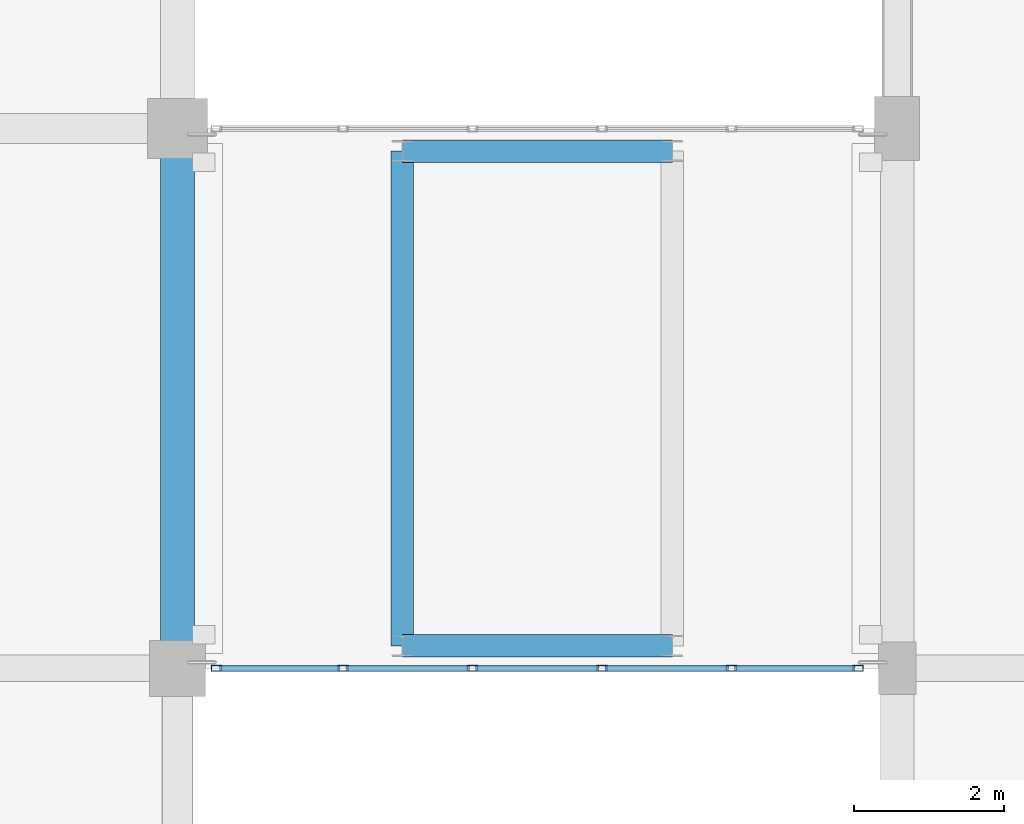
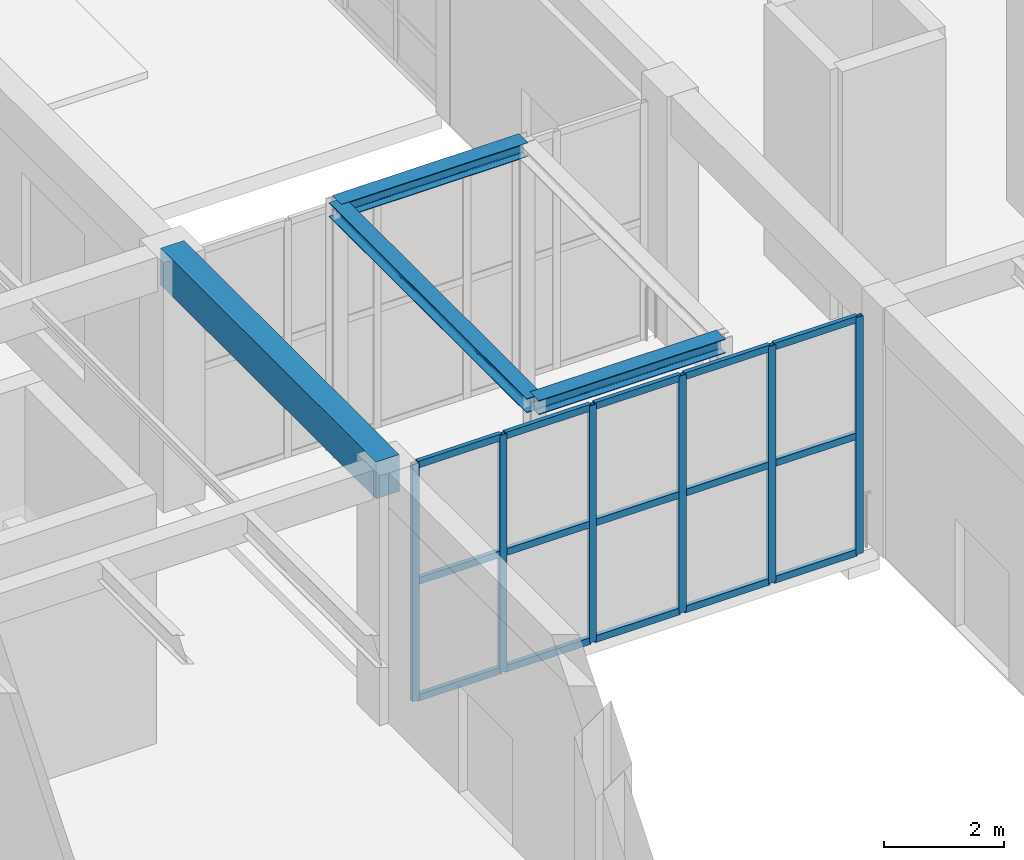
# One storey, part 47 of 169: 21 members, 4 beams, 1 element without a shape of its own.
"""IFC4 building model written with IfcOpenShell, lengths in metres."""

from ifc_helpers import new_model, si_unit, direction, frame, origin, origin_2d, place, context, subcontext, project, spatial, rectangle, hollow_rectangle, i_section, extrude, material, layer, layer_set, material_profile, profile_set, type_object, element, aggregate, save


model = new_model("IFC4")

# Units and contexts
model_context = context("Model", 3, precision=1e-05, world=origin(), true_north=direction((0.0, 1.0)))
body_context = subcontext(model_context, "Body", "Model", "MODEL_VIEW")
ifc_project = project(units=[si_unit("LENGTHUNIT", "METRE"), si_unit("AREAUNIT", "SQUARE_METRE"), si_unit("VOLUMEUNIT", "CUBIC_METRE"), si_unit("PLANEANGLEUNIT", "RADIAN"), si_unit("MASSUNIT", "GRAM", prefix="KILO")], contexts=[model_context])

# Site, building, storey
site_placement = place(None, origin())
site = spatial("IfcSite", under=ifc_project, at=site_placement, CompositionType="ELEMENT")
building_placement = place(site_placement, origin())
building = spatial("IfcBuilding", under=site, at=building_placement, Name="Mazaris Harbour Polytechnic", CompositionType="ELEMENT")
storey_placement = place(building_placement, origin())
storey = spatial("IfcBuildingStorey", under=building, at=storey_placement, Name="L00", CompositionType="ELEMENT", Elevation=0.0)

# Curtain wall, members
ifc_material_1 = material(Name="Anodised Bronze Aluminium and Low-E Glass", Category="aluminium")
ifc_layer = layer(ifc_material_1, 0.139892578125, Name="Anodised Bronze Aluminium and Low-E Glass")
ifc_layer_set = layer_set([ifc_layer], Name="Anodised Bronze Aluminium and Low-E Glass")
curtain_wall_type = type_object("IfcCurtainWallType", Name="Seismic Link Bridge Glazing", PredefinedType="NOTDEFINED", material=ifc_layer_set)
curtain_wall_placement = place(storey_placement, origin())
curtain_wall = element("IfcCurtainWall", 1, at=curtain_wall_placement, inside=storey, type_object=curtain_wall_type, Name="PB-E1 L00 Bridge Glazing", PredefinedType="NOTDEFINED")
ifc_material_2 = material(Name="Anodised Bronze Steel S355", Category="steel")
ifc_material_profile_1 = material_profile(ifc_material_2, hollow_rectangle(XDim=0.080078125, YDim=0.139892578125, WallThickness=0.00634765625, at=origin_2d()), Name="RHS 80x140x6.3")
ifc_profile_set_1 = profile_set([ifc_material_profile_1], Name="Anodised Bronze Steel S355")
member_type_1 = type_object("IfcMemberType", Name="Curtain Mullion RHS80x140", PredefinedType="MULLION", material=ifc_profile_set_1)
member_1_placement = place(storey_placement, frame((113.320068359375, 21.60009765625, 0.0), z_axis=(0.0, 0.0, 1.0), x_axis=(0.0, 1.0, 0.0)))
member_1 = element("IfcMember", 2, at=member_1_placement, type_object=member_type_1, Name="CW-05 mullion 1", PredefinedType="MULLION", context=body_context, shape_type="SweptSolid", body=[
    extrude(hollow_rectangle(XDim=0.080078125, YDim=0.139892578125, WallThickness=0.00634765625, at=origin_2d()), origin(), (0.0, 0.0, 1.0), 4.8349609375),
])
member_2_placement = place(storey_placement, frame((115.008056640625, 21.60009765625, 0.0), z_axis=(0.0, 0.0, 1.0), x_axis=(0.0, 1.0, 0.0)))
member_2 = element("IfcMember", 3, at=member_2_placement, type_object=member_type_1, Name="CW-05 mullion 2", PredefinedType="MULLION", context=body_context, shape_type="SweptSolid", body=[
    extrude(hollow_rectangle(XDim=0.080078125, YDim=0.139892578125, WallThickness=0.00634765625, at=origin_2d()), origin(), (0.0, 0.0, 1.0), 4.8349609375),
])
member_3_placement = place(storey_placement, frame((116.736083984375, 21.60009765625, 0.0), z_axis=(0.0, 0.0, 1.0), x_axis=(0.0, 1.0, 0.0)))
member_3 = element("IfcMember", 4, at=member_3_placement, type_object=member_type_1, Name="CW-05 mullion 3", PredefinedType="MULLION", context=body_context, shape_type="SweptSolid", body=[
    extrude(hollow_rectangle(XDim=0.080078125, YDim=0.139892578125, WallThickness=0.00634765625, at=origin_2d()), origin(), (0.0, 0.0, 1.0), 4.8349609375),
])
member_4_placement = place(storey_placement, frame((118.464111328125, 21.60009765625, 0.0), z_axis=(0.0, 0.0, 1.0), x_axis=(0.0, 1.0, 0.0)))
member_4 = element("IfcMember", 5, at=member_4_placement, type_object=member_type_1, Name="CW-05 mullion 4", PredefinedType="MULLION", context=body_context, shape_type="SweptSolid", body=[
    extrude(hollow_rectangle(XDim=0.080078125, YDim=0.139892578125, WallThickness=0.00634765625, at=origin_2d()), origin(), (0.0, 0.0, 1.0), 4.8349609375),
])
member_5_placement = place(storey_placement, frame((120.19189453125, 21.60009765625, 0.0), z_axis=(0.0, 0.0, 1.0), x_axis=(0.0, 1.0, 0.0)))
member_5 = element("IfcMember", 6, at=member_5_placement, type_object=member_type_1, Name="CW-05 mullion 5", PredefinedType="MULLION", context=body_context, shape_type="SweptSolid", body=[
    extrude(hollow_rectangle(XDim=0.080078125, YDim=0.139892578125, WallThickness=0.00634765625, at=origin_2d()), origin(), (0.0, 0.0, 1.0), 4.8349609375),
])
member_6_placement = place(storey_placement, frame((121.8798828125, 21.60009765625, 0.0), z_axis=(0.0, 0.0, 1.0), x_axis=(0.0, 1.0, 0.0)))
member_6 = element("IfcMember", 7, at=member_6_placement, type_object=member_type_1, Name="CW-05 mullion 6", PredefinedType="MULLION", context=body_context, shape_type="SweptSolid", body=[
    extrude(hollow_rectangle(XDim=0.080078125, YDim=0.139892578125, WallThickness=0.00634765625, at=origin_2d()), origin(), (0.0, 0.0, 1.0), 4.8349609375),
])
ifc_material_3 = material(Name="Anodised Bronze Steel S355", Category="steel")
ifc_material_profile_2 = material_profile(ifc_material_3, hollow_rectangle(XDim=0.080078125, YDim=0.139892578125, WallThickness=0.00634765625, at=origin_2d()), Name="RHS 80x140x6.3")
ifc_profile_set_2 = profile_set([ifc_material_profile_2], Name="Anodised Bronze Steel S355")
member_type_2 = type_object("IfcMemberType", Name="Curtain Transom RHS80x140", PredefinedType="USERDEFINED", material=ifc_profile_set_2)
member_7_placement = place(storey_placement, frame((113.360107421875, 21.60009765625, 0.0400390625), z_axis=(1.0, 0.0, 0.0), x_axis=(0.0, 1.0, 0.0)))
member_7 = element("IfcMember", 8, at=member_7_placement, type_object=member_type_2, Name="CW-05 transom 1.1", ObjectType="TRANSOM", PredefinedType="USERDEFINED", context=body_context, shape_type="SweptSolid", body=[
    extrude(hollow_rectangle(XDim=0.080078125, YDim=0.139892578125, WallThickness=0.00634765625, at=origin_2d()), origin(), (0.0, 0.0, 1.0), 1.60791015625),
])
member_8_placement = place(storey_placement, frame((113.360107421875, 21.60009765625, 2.41748046875), z_axis=(1.0, 0.0, 0.0), x_axis=(0.0, 1.0, 0.0)))
member_8 = element("IfcMember", 9, at=member_8_placement, type_object=member_type_2, Name="CW-05 transom 1.2", ObjectType="TRANSOM", PredefinedType="USERDEFINED", context=body_context, shape_type="SweptSolid", body=[
    extrude(hollow_rectangle(XDim=0.080078125, YDim=0.139892578125, WallThickness=0.00634765625, at=origin_2d()), origin(), (0.0, 0.0, 1.0), 1.60791015625),
])
member_9_placement = place(storey_placement, frame((113.360107421875, 21.60009765625, 4.794921875), z_axis=(1.0, 0.0, 0.0), x_axis=(0.0, 1.0, 0.0)))
member_9 = element("IfcMember", 10, at=member_9_placement, type_object=member_type_2, Name="CW-05 transom 1.3", ObjectType="TRANSOM", PredefinedType="USERDEFINED", context=body_context, shape_type="SweptSolid", body=[
    extrude(hollow_rectangle(XDim=0.080078125, YDim=0.139892578125, WallThickness=0.00634765625, at=origin_2d()), origin(), (0.0, 0.0, 1.0), 1.60791015625),
])
member_10_placement = place(storey_placement, frame((115.048095703125, 21.60009765625, 0.0400390625), z_axis=(1.0, 0.0, 0.0), x_axis=(0.0, 1.0, 0.0)))
member_10 = element("IfcMember", 11, at=member_10_placement, type_object=member_type_2, Name="CW-05 transom 2.1", ObjectType="TRANSOM", PredefinedType="USERDEFINED", context=body_context, shape_type="SweptSolid", body=[
    extrude(hollow_rectangle(XDim=0.080078125, YDim=0.139892578125, WallThickness=0.00634765625, at=origin_2d()), origin(), (0.0, 0.0, 1.0), 1.64794921875),
])
member_11_placement = place(storey_placement, frame((115.048095703125, 21.60009765625, 2.41748046875), z_axis=(1.0, 0.0, 0.0), x_axis=(0.0, 1.0, 0.0)))
member_11 = element("IfcMember", 12, at=member_11_placement, type_object=member_type_2, Name="CW-05 transom 2.2", ObjectType="TRANSOM", PredefinedType="USERDEFINED", context=body_context, shape_type="SweptSolid", body=[
    extrude(hollow_rectangle(XDim=0.080078125, YDim=0.139892578125, WallThickness=0.00634765625, at=origin_2d()), origin(), (0.0, 0.0, 1.0), 1.64794921875),
])
member_12_placement = place(storey_placement, frame((115.048095703125, 21.60009765625, 4.794921875), z_axis=(1.0, 0.0, 0.0), x_axis=(0.0, 1.0, 0.0)))
member_12 = element("IfcMember", 13, at=member_12_placement, type_object=member_type_2, Name="CW-05 transom 2.3", ObjectType="TRANSOM", PredefinedType="USERDEFINED", context=body_context, shape_type="SweptSolid", body=[
    extrude(hollow_rectangle(XDim=0.080078125, YDim=0.139892578125, WallThickness=0.00634765625, at=origin_2d()), origin(), (0.0, 0.0, 1.0), 1.64794921875),
])
member_13_placement = place(storey_placement, frame((116.77587890625, 21.60009765625, 0.0400390625), z_axis=(1.0, 0.0, 0.0), x_axis=(0.0, 1.0, 0.0)))
member_13 = element("IfcMember", 14, at=member_13_placement, type_object=member_type_2, Name="CW-05 transom 3.1", ObjectType="TRANSOM", PredefinedType="USERDEFINED", context=body_context, shape_type="SweptSolid", body=[
    extrude(hollow_rectangle(XDim=0.080078125, YDim=0.139892578125, WallThickness=0.00634765625, at=origin_2d()), origin(), (0.0, 0.0, 1.0), 1.648193359375),
])
member_14_placement = place(storey_placement, frame((116.77587890625, 21.60009765625, 2.41748046875), z_axis=(1.0, 0.0, 0.0), x_axis=(0.0, 1.0, 0.0)))
member_14 = element("IfcMember", 15, at=member_14_placement, type_object=member_type_2, Name="CW-05 transom 3.2", ObjectType="TRANSOM", PredefinedType="USERDEFINED", context=body_context, shape_type="SweptSolid", body=[
    extrude(hollow_rectangle(XDim=0.080078125, YDim=0.139892578125, WallThickness=0.00634765625, at=origin_2d()), origin(), (0.0, 0.0, 1.0), 1.648193359375),
])
member_15_placement = place(storey_placement, frame((116.77587890625, 21.60009765625, 4.794921875), z_axis=(1.0, 0.0, 0.0), x_axis=(0.0, 1.0, 0.0)))
member_15 = element("IfcMember", 16, at=member_15_placement, type_object=member_type_2, Name="CW-05 transom 3.3", ObjectType="TRANSOM", PredefinedType="USERDEFINED", context=body_context, shape_type="SweptSolid", body=[
    extrude(hollow_rectangle(XDim=0.080078125, YDim=0.139892578125, WallThickness=0.00634765625, at=origin_2d()), origin(), (0.0, 0.0, 1.0), 1.648193359375),
])
member_16_placement = place(storey_placement, frame((118.50390625, 21.60009765625, 0.0400390625), z_axis=(1.0, 0.0, 0.0), x_axis=(0.0, 1.0, 0.0)))
member_16 = element("IfcMember", 17, at=member_16_placement, type_object=member_type_2, Name="CW-05 transom 4.1", ObjectType="TRANSOM", PredefinedType="USERDEFINED", context=body_context, shape_type="SweptSolid", body=[
    extrude(hollow_rectangle(XDim=0.080078125, YDim=0.139892578125, WallThickness=0.00634765625, at=origin_2d()), origin(), (0.0, 0.0, 1.0), 1.648193359375),
])
member_17_placement = place(storey_placement, frame((118.50390625, 21.60009765625, 2.41748046875), z_axis=(1.0, 0.0, 0.0), x_axis=(0.0, 1.0, 0.0)))
member_17 = element("IfcMember", 18, at=member_17_placement, type_object=member_type_2, Name="CW-05 transom 4.2", ObjectType="TRANSOM", PredefinedType="USERDEFINED", context=body_context, shape_type="SweptSolid", body=[
    extrude(hollow_rectangle(XDim=0.080078125, YDim=0.139892578125, WallThickness=0.00634765625, at=origin_2d()), origin(), (0.0, 0.0, 1.0), 1.648193359375),
])
member_18_placement = place(storey_placement, frame((118.50390625, 21.60009765625, 4.794921875), z_axis=(1.0, 0.0, 0.0), x_axis=(0.0, 1.0, 0.0)))
member_18 = element("IfcMember", 19, at=member_18_placement, type_object=member_type_2, Name="CW-05 transom 4.3", ObjectType="TRANSOM", PredefinedType="USERDEFINED", context=body_context, shape_type="SweptSolid", body=[
    extrude(hollow_rectangle(XDim=0.080078125, YDim=0.139892578125, WallThickness=0.00634765625, at=origin_2d()), origin(), (0.0, 0.0, 1.0), 1.648193359375),
])
member_19_placement = place(storey_placement, frame((120.23193359375, 21.60009765625, 0.0400390625), z_axis=(1.0, 0.0, 0.0), x_axis=(0.0, 1.0, 0.0)))
member_19 = element("IfcMember", 20, at=member_19_placement, type_object=member_type_2, Name="CW-05 transom 5.1", ObjectType="TRANSOM", PredefinedType="USERDEFINED", context=body_context, shape_type="SweptSolid", body=[
    extrude(hollow_rectangle(XDim=0.080078125, YDim=0.139892578125, WallThickness=0.00634765625, at=origin_2d()), origin(), (0.0, 0.0, 1.0), 1.608154296875),
])
member_20_placement = place(storey_placement, frame((120.23193359375, 21.60009765625, 2.41748046875), z_axis=(1.0, 0.0, 0.0), x_axis=(0.0, 1.0, 0.0)))
member_20 = element("IfcMember", 21, at=member_20_placement, type_object=member_type_2, Name="CW-05 transom 5.2", ObjectType="TRANSOM", PredefinedType="USERDEFINED", context=body_context, shape_type="SweptSolid", body=[
    extrude(hollow_rectangle(XDim=0.080078125, YDim=0.139892578125, WallThickness=0.00634765625, at=origin_2d()), origin(), (0.0, 0.0, 1.0), 1.608154296875),
])
member_21_placement = place(storey_placement, frame((120.23193359375, 21.60009765625, 4.794921875), z_axis=(1.0, 0.0, 0.0), x_axis=(0.0, 1.0, 0.0)))
member_21 = element("IfcMember", 22, at=member_21_placement, type_object=member_type_2, Name="CW-05 transom 5.3", ObjectType="TRANSOM", PredefinedType="USERDEFINED", context=body_context, shape_type="SweptSolid", body=[
    extrude(hollow_rectangle(XDim=0.080078125, YDim=0.139892578125, WallThickness=0.00634765625, at=origin_2d()), origin(), (0.0, 0.0, 1.0), 1.608154296875),
])
aggregate(curtain_wall, [member_1, member_2, member_3, member_4, member_5, member_6, member_7, member_8, member_9, member_10, member_11, member_12, member_13, member_14, member_15, member_16, member_17, member_18, member_19, member_20, member_21])

# Beams
ifc_material_4 = material(Name="Concrete C40/50", Category="concrete")
ifc_material_profile_3 = material_profile(ifc_material_4, rectangle(XDim=0.449951171875, YDim=0.75, at=origin_2d()), Name="RECT450x750")
ifc_profile_set_3 = profile_set([ifc_material_profile_3], Name="Concrete C40/50")
beam_type_1 = type_object("IfcBeamType", Name="RC Girder 450x750 Exterior", PredefinedType="BEAM", material=ifc_profile_set_3)
beam_1_placement = place(storey_placement, frame((112.800048828125, 21.60009765625, 4.72509765625), z_axis=(0.0, 1.0, 0.0), x_axis=(-1.0, 0.0, 0.0)))
element("IfcBeam", 23, at=beam_1_placement, inside=storey, type_object=beam_type_1, Name="V3 L00 Tie Girder 918", PredefinedType="BEAM", context=body_context, shape_type="SweptSolid", body=[
    extrude(rectangle(XDim=0.449951171875, YDim=0.75, at=origin_2d()), origin(), (0.0, 0.0, 1.0), 7.199951171875),
])
ifc_material_5 = material(Name="Steel S355", Category="steel")
ifc_material_profile_4 = material_profile(ifc_material_5, i_section(OverallWidth=0.300048828125, OverallDepth=0.2900390625, WebThickness=0.008544921875, FlangeThickness=0.013916015625, FilletRadius=0.027099609375, at=origin_2d()), Name="HEA 300")
ifc_profile_set_4 = profile_set([ifc_material_profile_4], Name="Steel S355")
beam_type_2 = type_object("IfcBeamType", Name="Steel Beam HEA300 Exterior", PredefinedType="SPANDREL", material=ifc_profile_set_4)
beam_2_placement = place(storey_placement, frame((115.800048828125, 21.89990234375, 4.989990234375), z_axis=(1.0, 0.0, 0.0), x_axis=(0.0, 1.0, 0.0)))
element("IfcBeam", 24, at=beam_2_placement, inside=storey, type_object=beam_type_2, Name="PB-E1 L00 Bridge Beam 3439", PredefinedType="SPANDREL", context=body_context, shape_type="SweptSolid", body=[
    extrude(i_section(OverallWidth=0.300048828125, OverallDepth=0.2900390625, WebThickness=0.008544921875, FlangeThickness=0.013916015625, FilletRadius=0.027099609375, at=origin_2d()), origin(), (0.0, 0.0, 1.0), 3.599853515625),
])
beam_3_placement = place(storey_placement, frame((115.800048828125, 21.89990234375, 4.989990234375), z_axis=(0.0, 1.0, 0.0), x_axis=(-1.0, 0.0, 0.0)))
element("IfcBeam", 25, at=beam_3_placement, inside=storey, type_object=beam_type_2, Name="PB-E1 L00 Bridge Beam 3440", PredefinedType="SPANDREL", context=body_context, shape_type="SweptSolid", body=[
    extrude(i_section(OverallWidth=0.300048828125, OverallDepth=0.2900390625, WebThickness=0.008544921875, FlangeThickness=0.013916015625, FilletRadius=0.027099609375, at=origin_2d()), origin(), (0.0, 0.0, 1.0), 6.60009765625),
])
beam_4_placement = place(storey_placement, frame((115.800048828125, 28.5, 4.989990234375), z_axis=(1.0, 0.0, 0.0), x_axis=(0.0, 1.0, 0.0)))
element("IfcBeam", 26, at=beam_4_placement, inside=storey, type_object=beam_type_2, Name="PB-E1 L00 Bridge Beam 3442", PredefinedType="SPANDREL", context=body_context, shape_type="SweptSolid", body=[
    extrude(i_section(OverallWidth=0.300048828125, OverallDepth=0.2900390625, WebThickness=0.008544921875, FlangeThickness=0.013916015625, FilletRadius=0.027099609375, at=origin_2d()), origin(), (0.0, 0.0, 1.0), 3.599853515625),
])

save(model, "model.ifc")
